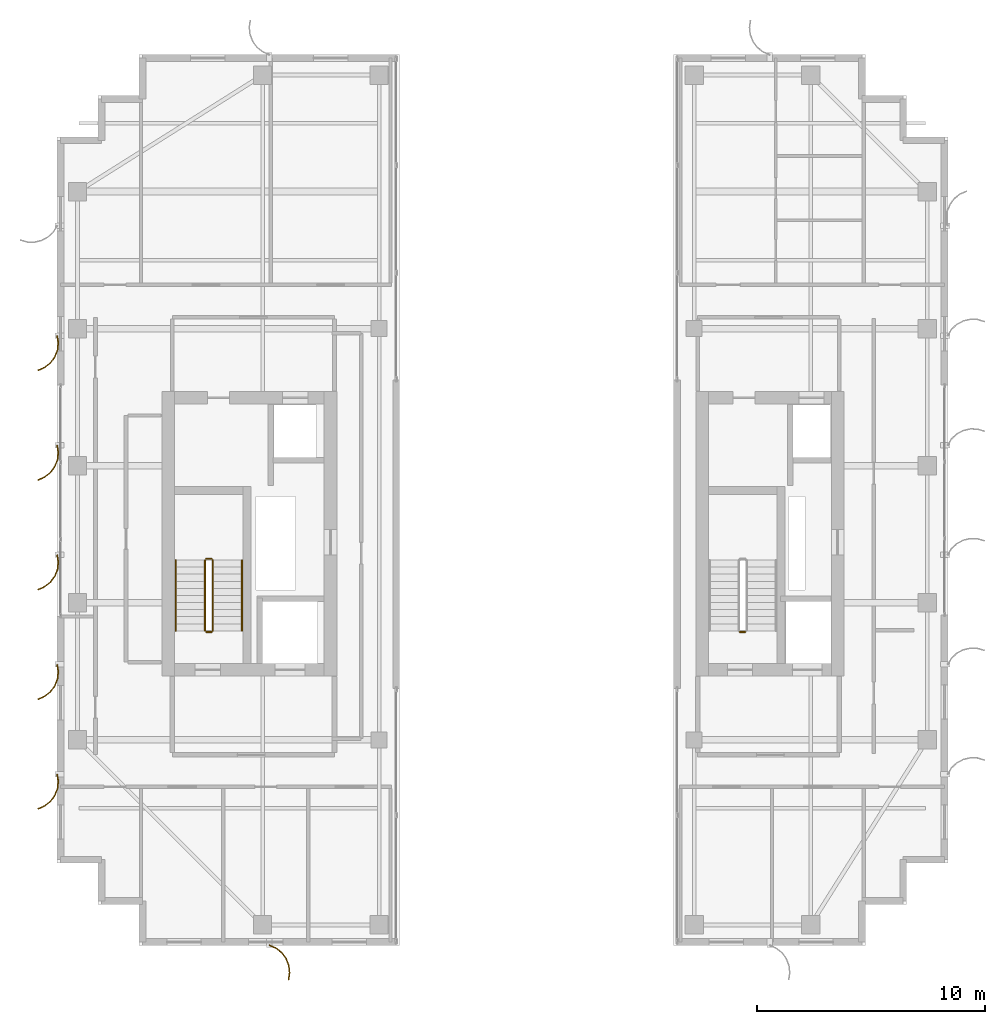
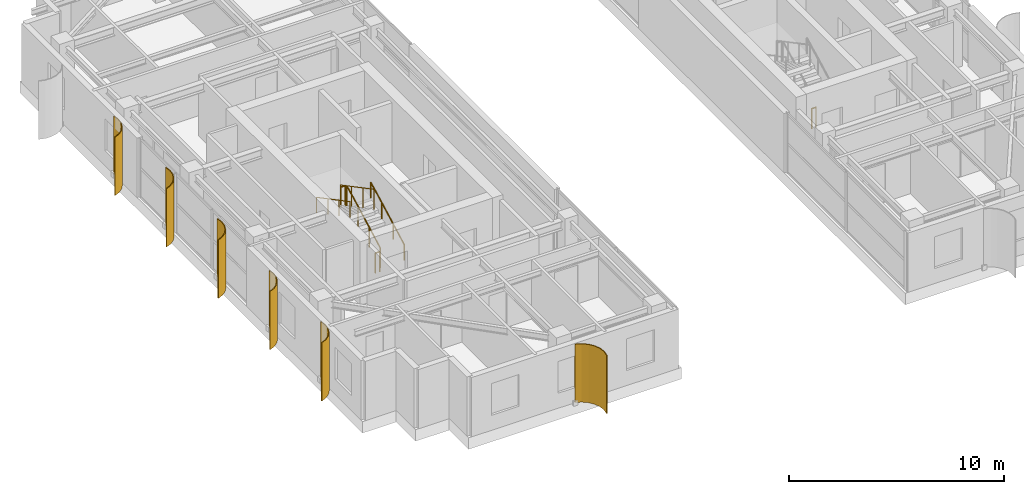
# One storey, part 22 of 24: 7 railings, 6 shading devices.
"""IFC4 building model written with IfcOpenShell, lengths in metres."""

from ifc_helpers import new_model, si_unit, direction, frame, origin, origin_2d, place, context, subcontext, project, spatial, polyline, circle, outline, extrude, source, transform, mapped, material, layer, layer_set, type_object, element, save


model = new_model("IFC4")

# Units and contexts
model_context = context("Model", 3, precision=1e-05, world=origin(), true_north=direction((0.0, 1.0)))
body_context = subcontext(model_context, "Body", "Model", "MODEL_VIEW")
ifc_project = project(units=[si_unit("LENGTHUNIT", "METRE"), si_unit("AREAUNIT", "SQUARE_METRE"), si_unit("VOLUMEUNIT", "CUBIC_METRE"), si_unit("PLANEANGLEUNIT", "RADIAN"), si_unit("MASSUNIT", "GRAM", prefix="KILO")], contexts=[model_context])

# Site, building, storey
site_placement = place(None, origin())
site = spatial("IfcSite", under=ifc_project, at=site_placement, CompositionType="ELEMENT")
building_placement = place(site_placement, origin())
building = spatial("IfcBuilding", under=site, at=building_placement, Name="Khoralis Quay Care Tower", CompositionType="ELEMENT")
storey_placement = place(building_placement, frame((0.0, 0.0, 227.699951171875)))
storey = spatial("IfcBuildingStorey", under=building, at=storey_placement, Name="L59", CompositionType="ELEMENT", Elevation=227.699951171875)

# Railings
ifc_material_1 = material(Name="Brushed stainless steel", Category="steel")
railing_type_1 = type_object("IfcRailingType", Name="RL-GUARD-1150", PredefinedType="GUARDRAIL", material=ifc_material_1)
railing_1_placement = place(storey_placement, frame((9.820068359375, 16.77001953125, 0.16357421875)))
element("IfcRailing", 1, at=railing_1_placement, inside=storey, type_object=railing_type_1, Name="L59 ST-T1 stair guard 1", PredefinedType="GUARDRAIL", context=body_context, shape_type="SweptSolid", body=[
    extrude(circle(Radius=0.02392578125, at=origin_2d()), frame((0.0, 0.0, 1.1259765625), z_axis=(0.0, 0.884348015382, 0.466828220752), x_axis=(-1.0, 0.0, 0.0)), (0.0, 0.0, 1.0), 3.505615234375),
    extrude(circle(Radius=0.02099609375, at=origin_2d()), origin(), (0.0, 0.0, 1.0), 1.101806640625),
    extrude(circle(Radius=0.02099609375, at=origin_2d()), frame((0.0, 1.033447265625, 0.54541015625)), (0.0, 0.0, 1.0), 1.101806640625),
    extrude(circle(Radius=0.02099609375, at=origin_2d()), frame((0.0, 2.066650390625, 1.091064453125)), (0.0, 0.0, 1.0), 1.101806640625),
    extrude(circle(Radius=0.02099609375, at=origin_2d()), frame((0.0, 3.10009765625, 1.636474609375)), (0.0, 0.0, 1.0), 1.101806640625),
])
railing_2_placement = place(storey_placement, frame((9.77001953125, 19.919921875, 1.800048828125)))
element("IfcRailing", 2, at=railing_2_placement, inside=storey, type_object=railing_type_1, Name="L59 ST-T1 stair guard 2", PredefinedType="GUARDRAIL", context=body_context, shape_type="SweptSolid", body=[
    extrude(circle(Radius=0.02392578125, at=origin_2d()), frame((0.0, 0.0, 1.1259765625), z_axis=(-1.0, 0.0, 0.0), x_axis=(0.0, -1.0, 0.0)), (0.0, 0.0, 1.0), 0.239990234375),
    extrude(circle(Radius=0.02099609375, at=origin_2d()), origin(), (0.0, 0.0, 1.0), 1.101806640625),
    extrude(circle(Radius=0.02099609375, at=origin_2d()), frame((-0.239990234375, 0.0, 0.0)), (0.0, 0.0, 1.0), 1.101806640625),
])
railing_3_placement = place(storey_placement, frame((9.47998046875, 19.8701171875, 1.963623046875)))
element("IfcRailing", 3, at=railing_3_placement, inside=storey, type_object=railing_type_1, Name="L59 ST-T1 stair guard 3", PredefinedType="GUARDRAIL", context=body_context, shape_type="SweptSolid", body=[
    extrude(circle(Radius=0.02392578125, at=origin_2d()), frame((0.0, 0.0, 1.1259765625), z_axis=(0.0, -0.884348015382, 0.466828220752), x_axis=(1.0, 0.0, 0.0)), (0.0, 0.0, 1.0), 3.505615234375),
    extrude(circle(Radius=0.02099609375, at=origin_2d()), origin(), (0.0, 0.0, 1.0), 1.101806640625),
    extrude(circle(Radius=0.02099609375, at=origin_2d()), frame((0.0, -1.033447265625, 0.54541015625)), (0.0, 0.0, 1.0), 1.101806640625),
    extrude(circle(Radius=0.02099609375, at=origin_2d()), frame((0.0, -2.066650390625, 1.091064453125)), (0.0, 0.0, 1.0), 1.101806640625),
    extrude(circle(Radius=0.02099609375, at=origin_2d()), frame((0.0, -3.10009765625, 1.636474609375)), (0.0, 0.0, 1.0), 1.101806640625),
])
for number, where, name in (
    (4, (9.77001953125, 16.719970703125, 0.0), "L59 ST-T1 stair guard 4"),
    (5, (33.139892578125, 16.719970703125, 0.0), "L59 ST-T2 stair guard 4"),
):
    element("IfcRailing", number, at=place(storey_placement, frame(where)), inside=storey, type_object=railing_type_1, Name=name, PredefinedType="GUARDRAIL", context=body_context, shape_type="SweptSolid", body=[
        extrude(circle(Radius=0.02392578125, at=origin_2d()), frame((0.0, 0.0, 1.1259765625), z_axis=(-1.0, 0.0, 0.0), x_axis=(0.0, -1.0, 0.0)), (0.0, 0.0, 1.0), 0.239990234375),
        extrude(circle(Radius=0.02099609375, at=origin_2d()), origin(), (0.0, 0.0, 1.0), 1.101806640625),
        extrude(circle(Radius=0.02099609375, at=origin_2d()), frame((-0.239990234375, 0.0, 0.0)), (0.0, 0.0, 1.0), 1.101806640625),
    ])
railing_type_2 = type_object("IfcRailingType", Name="RL-HAND-900", PredefinedType="HANDRAIL", material=ifc_material_1)
railing_4_placement = place(storey_placement, frame((11.10009765625, 16.77001953125, 0.16357421875)))
element("IfcRailing", 6, at=railing_4_placement, inside=storey, type_object=railing_type_2, Name="L59 ST-T1 stair handrail 1", PredefinedType="HANDRAIL", context=body_context, shape_type="SweptSolid", body=[
    extrude(circle(Radius=0.02392578125, at=origin_2d()), frame((0.0, 0.0, 0.8759765625), z_axis=(0.0, 0.884348015382, 0.466828220752), x_axis=(-1.0, 0.0, 0.0)), (0.0, 0.0, 1.0), 3.505615234375),
    extrude(circle(Radius=0.02099609375, at=origin_2d()), origin(), (0.0, 0.0, 1.0), 0.851806640625),
    extrude(circle(Radius=0.02099609375, at=origin_2d()), frame((0.0, 1.033447265625, 0.54541015625)), (0.0, 0.0, 1.0), 0.851806640625),
    extrude(circle(Radius=0.02099609375, at=origin_2d()), frame((0.0, 2.066650390625, 1.091064453125)), (0.0, 0.0, 1.0), 0.851806640625),
    extrude(circle(Radius=0.02099609375, at=origin_2d()), frame((0.0, 3.10009765625, 1.636474609375)), (0.0, 0.0, 1.0), 0.851806640625),
])
railing_5_placement = place(storey_placement, frame((8.199951171875, 19.8701171875, 1.963623046875)))
element("IfcRailing", 7, at=railing_5_placement, inside=storey, type_object=railing_type_2, Name="L59 ST-T1 stair handrail 2", PredefinedType="HANDRAIL", context=body_context, shape_type="SweptSolid", body=[
    extrude(circle(Radius=0.02392578125, at=origin_2d()), frame((0.0, 0.0, 0.8759765625), z_axis=(0.0, -0.884348015382, 0.466828220752), x_axis=(1.0, 0.0, 0.0)), (0.0, 0.0, 1.0), 3.505615234375),
    extrude(circle(Radius=0.02099609375, at=origin_2d()), origin(), (0.0, 0.0, 1.0), 0.851806640625),
    extrude(circle(Radius=0.02099609375, at=origin_2d()), frame((0.0, -1.033447265625, 0.54541015625)), (0.0, 0.0, 1.0), 0.851806640625),
    extrude(circle(Radius=0.02099609375, at=origin_2d()), frame((0.0, -2.066650390625, 1.091064453125)), (0.0, 0.0, 1.0), 0.851806640625),
    extrude(circle(Radius=0.02099609375, at=origin_2d()), frame((0.0, -3.10009765625, 1.636474609375)), (0.0, 0.0, 1.0), 0.851806640625),
])

# Shading devices
ifc_material_2 = material(Name="Brushed pale anodised aluminium", Category="aluminium")
ifc_layer = layer(ifc_material_2, 0.044921875)
ifc_layer_set = layer_set([ifc_layer], Name="Brushed pale anodised aluminium")
shading_device_type = type_object("IfcShadingDeviceType", Name="SHD-FIN-1250", PredefinedType="USERDEFINED", material=ifc_layer_set)
shared_shape_1 = source(origin(), body_context, "Body", "SweptSolid", [
    extrude(outline(polyline([(0.0, 0.0), (0.130126953125, 0.29931640625), (0.333251953125, 0.5546875), (0.595458984375, 0.748779296875), (0.899169921875, 0.868408203125), (1.223388671875, 0.9052734375), (1.546142578125, 0.85693359375), (1.53369140625, 0.813720703125), (1.22265625, 0.8603515625), (0.91015625, 0.82470703125), (0.617431640625, 0.70947265625), (0.364501953125, 0.522216796875), (0.168701171875, 0.276123046875), (0.043212890625, -0.012451171875), (0.0, 0.0)])), origin(), (0.0, 0.0, 1.0), 3.300048828125),
])
shading_device_placement = place(storey_placement, frame((12.300048828125, 3.030029296875, 0.02001953125), z_axis=(0.0, 0.0, 1.0), x_axis=(0.0, -1.0, 0.0)))
element("IfcShadingDevice", 8, at=shading_device_placement, inside=storey, type_object=shading_device_type, Name="L59 Curved Solar Fin P1E0-01", ObjectType="FIN", PredefinedType="USERDEFINED", context=body_context, shape_type="MappedRepresentation", body=[
    mapped(shared_shape_1, transform((0.0, 0.0, 0.0), scale=1.0)),
])
shared_shape_2 = source(origin(), body_context, "Body", "SweptSolid", [
    extrude(outline(polyline([(0.0, 0.0), (-0.04833984375, 0.32275390625), (-0.01123046875, 0.64697265625), (0.1083984375, 0.950439453125), (0.302490234375, 1.212890625), (0.557861328125, 1.416015625), (0.85693359375, 1.546142578125), (0.869384765625, 1.5029296875), (0.5810546875, 1.37744140625), (0.334716796875, 1.181640625), (0.147705078125, 0.9287109375), (0.032470703125, 0.635986328125), (-0.003173828125, 0.323486328125), (0.043212890625, 0.012451171875), (0.0, 0.0)])), origin(), (0.0, 0.0, 1.0), 3.300048828125),
])
for number, where, z_axis, x_axis, name in (
    (9, (3.030029296875, 29.699951171875, 0.02001953125), (0.0, 0.0, 1.0), (-1.0, 0.0, 0.0), "L59 Curved Solar Fin P1E7-02"),
    (10, (3.030029296875, 24.89990234375, 0.02001953125), (0.0, 0.0, 1.0), (-1.0, 0.0, 0.0), "L59 Curved Solar Fin P1E7-03"),
    (11, (3.030029296875, 20.10009765625, 0.02001953125), (0.0, 0.0, 1.0), (-1.0, 0.0, 0.0), "L59 Curved Solar Fin P1E7-04"),
    (12, (3.030029296875, 15.300048828125, 0.02001953125), (0.0, 0.0, 1.0), (-1.0, 0.0, 0.0), "L59 Curved Solar Fin P1E7-05"),
    (13, (3.030029296875, 10.5, 0.02001953125), (0.0, 0.0, 1.0), (-1.0, 0.0, 0.0), "L59 Curved Solar Fin P1E7-06"),
):
    element("IfcShadingDevice", number, at=place(storey_placement, frame(where, z_axis=z_axis, x_axis=x_axis)), inside=storey, type_object=shading_device_type, Name=name, ObjectType="FIN", PredefinedType="USERDEFINED", context=body_context, shape_type="MappedRepresentation", body=[
        mapped(shared_shape_2, transform((0.0, 0.0, 0.0), scale=1.0)),
    ])

save(model, "model.ifc")
